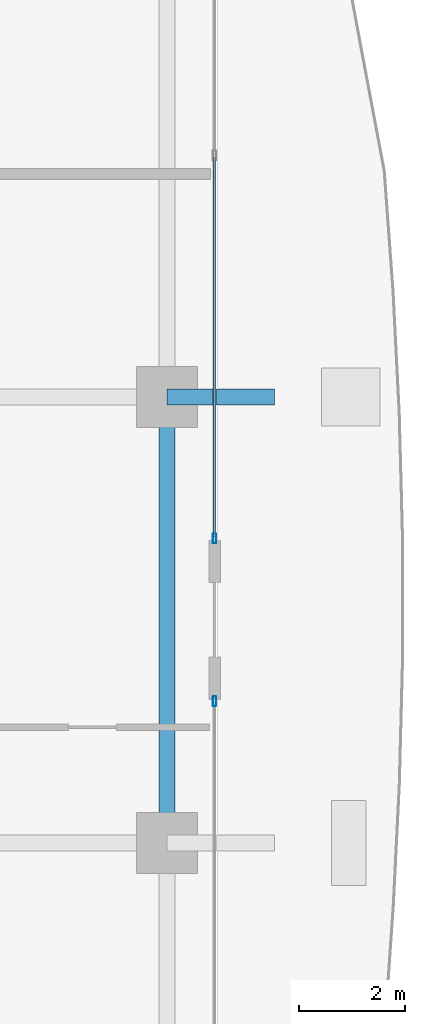
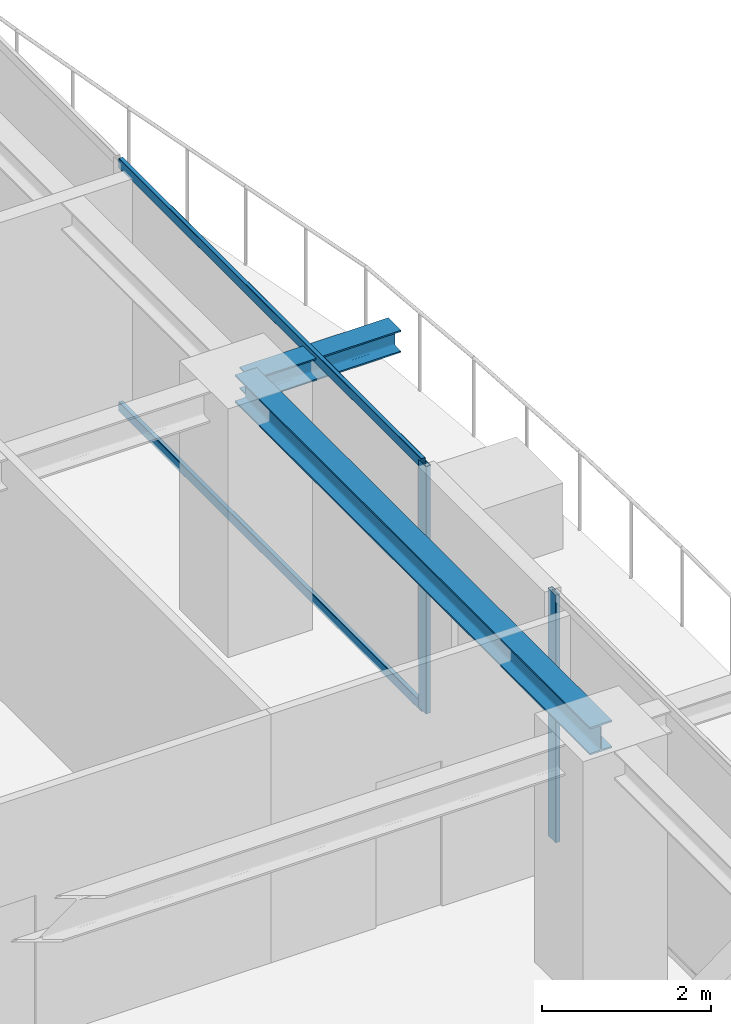
# One storey, part 15 of 37: 4 members, 2 beams, 2 elements without a shape of their own.
"""IFC4 building model written with IfcOpenShell, lengths in metres."""

from ifc_helpers import new_model, si_unit, direction, frame, origin, origin_2d, place, context, subcontext, project, spatial, hollow_rectangle, i_section, extrude, source, transform, mapped, material, layer, layer_set, material_profile, profile_set, type_object, element, aggregate, save


model = new_model("IFC4")

# Units and contexts
model_context = context("Model", 3, precision=1e-05, world=origin(), true_north=direction((0.0, 1.0)))
body_context = subcontext(model_context, "Body", "Model", "MODEL_VIEW")
ifc_project = project(units=[si_unit("LENGTHUNIT", "METRE"), si_unit("AREAUNIT", "SQUARE_METRE"), si_unit("VOLUMEUNIT", "CUBIC_METRE"), si_unit("PLANEANGLEUNIT", "RADIAN"), si_unit("MASSUNIT", "GRAM", prefix="KILO")], contexts=[model_context])

# Site, building, storey
site_placement = place(None, origin())
site = spatial("IfcSite", under=ifc_project, at=site_placement, CompositionType="ELEMENT")
building_placement = place(site_placement, origin())
building = spatial("IfcBuilding", under=site, at=building_placement, Name="Serunith Strait Residences", CompositionType="ELEMENT")
storey_placement = place(building_placement, frame((0.0, 0.0, 233.550048828125)))
storey = spatial("IfcBuildingStorey", under=building, at=storey_placement, Name="L58", CompositionType="ELEMENT", Elevation=233.550048828125)

# Beams
ifc_material_1 = material(Name="Steel S355J2", Category="steel")
ifc_material_profile_1 = material_profile(ifc_material_1, i_section(OverallWidth=0.300048828125, OverallDepth=0.39990234375, WebThickness=0.013427734375, FlangeThickness=0.02392578125, FilletRadius=0.027099609375, at=origin_2d()), Name="HEB 400")
ifc_profile_set_1 = profile_set([ifc_material_profile_1], Name="Steel S355J2")
beam_type_1 = type_object("IfcBeamType", Name="BM-HEB400", PredefinedType="BEAM", material=ifc_profile_set_1)
shared_shape_1 = source(origin(), body_context, "Body", "SweptSolid", [
    extrude(i_section(OverallWidth=0.300048828125, OverallDepth=0.39990234375, WebThickness=0.013427734375, FlangeThickness=0.02392578125, FilletRadius=0.027099609375, at=origin_2d()), origin(), (0.0, 0.0, 1.0), 8.39990234375),
])
beam_1_placement = place(storey_placement, frame((56.5, 21.0, 3.386962890625), z_axis=(0.0, 1.0, 0.0), x_axis=(-1.0, 0.0, 0.0)))
element("IfcBeam", 1, at=beam_1_placement, inside=storey, type_object=beam_type_1, Name="L58 Perimeter Ring Beam 06", PredefinedType="BEAM", context=body_context, shape_type="MappedRepresentation", body=[
    mapped(shared_shape_1, transform((0.0, 0.0, 0.0), scale=1.0)),
])
ifc_material_profile_2 = material_profile(ifc_material_1, i_section(OverallWidth=0.300048828125, OverallDepth=0.320068359375, WebThickness=0.011474609375, FlangeThickness=0.0205078125, FilletRadius=0.027099609375, at=origin_2d()), Name="HEB 320")
ifc_profile_set_2 = profile_set([ifc_material_profile_2], Name="Steel S355J2")
beam_type_2 = type_object("IfcBeamType", Name="BM-HEB320", PredefinedType="BEAM", material=ifc_profile_set_2)
shared_shape_2 = source(origin(), body_context, "Body", "SweptSolid", [
    extrude(i_section(OverallWidth=0.300048828125, OverallDepth=0.320068359375, WebThickness=0.011474609375, FlangeThickness=0.0205078125, FilletRadius=0.027099609375, at=origin_2d()), origin(), (0.0, 0.0, 1.0), 2.030029296875),
])
beam_2_placement = place(storey_placement, frame((56.5, 29.39990234375, 3.39697265625), z_axis=(1.0, 0.0, 0.0), x_axis=(0.0, 1.0, 0.0)))
element("IfcBeam", 2, at=beam_2_placement, inside=storey, type_object=beam_type_2, Name="L59 Cantilevered Balcony Rib TC-E3", PredefinedType="BEAM", context=body_context, shape_type="MappedRepresentation", body=[
    mapped(shared_shape_2, transform((0.0, 0.0, 0.0), scale=1.0)),
])

# Curtain wall, member
ifc_material_2 = material(Name="Pale-Champagne Anodised Aluminium", Category="aluminium")
ifc_layer = layer(ifc_material_2, 0.199951171875, Name="Pale-Champagne Anodised Aluminium")
ifc_layer_set = layer_set([ifc_layer], Name="Pale-Champagne Anodised Aluminium")
curtain_wall_type = type_object("IfcCurtainWallType", Name="CW-SYS4", PredefinedType="NOTDEFINED", material=ifc_layer_set)
curtain_wall_1_placement = place(storey_placement, origin())
curtain_wall_1 = element("IfcCurtainWall", 3, at=curtain_wall_1_placement, inside=storey, type_object=curtain_wall_type, Name="L58 E Unitised Fritted Curtain Wall", PredefinedType="NOTDEFINED")
ifc_material_profile_3 = material_profile(ifc_material_2, hollow_rectangle(XDim=0.06494140625, YDim=0.179931640625, WallThickness=0.00341796875, InnerFilletRadius=0.00537109375, OuterFilletRadius=0.0087890625, at=origin_2d()), Name="ALU 180x65x3.5")
ifc_profile_set_3 = profile_set([ifc_material_profile_3], Name="Pale-Champagne Anodised Aluminium")
member_type_1 = type_object("IfcMemberType", Name="CW-SYS4-MULL", PredefinedType="MULLION", material=ifc_profile_set_3)
shared_shape_3 = source(origin(), body_context, "Body", "SweptSolid", [
    extrude(hollow_rectangle(XDim=0.06494140625, YDim=0.179931640625, WallThickness=0.00341796875, InnerFilletRadius=0.00537109375, OuterFilletRadius=0.0087890625, at=origin_2d()), origin(), (0.0, 0.0, 1.0), 3.574951171875),
])
member_1_placement = place(storey_placement, frame((57.39990234375, 23.66748046875, 0.0), z_axis=(0.0, 0.0, 1.0), x_axis=(-1.0, 0.0, 0.0)))
member_1 = element("IfcMember", 4, at=member_1_placement, type_object=member_type_1, Name="CW-4 mullion 3", PredefinedType="MULLION", context=body_context, shape_type="MappedRepresentation", body=[
    mapped(shared_shape_3, transform((0.0, 0.0, 0.0), scale=1.0)),
])
aggregate(curtain_wall_1, [member_1])

# Curtain wall, members
curtain_wall_2_placement = place(storey_placement, origin())
curtain_wall_2 = element("IfcCurtainWall", 5, at=curtain_wall_2_placement, inside=storey, type_object=curtain_wall_type, Name="L58 E Unitised Fritted Curtain Wall", PredefinedType="NOTDEFINED")
member_2_placement = place(storey_placement, frame((57.39990234375, 26.732421875, 0.0), z_axis=(0.0, 0.0, 1.0), x_axis=(-1.0, 0.0, 0.0)))
member_2 = element("IfcMember", 6, at=member_2_placement, type_object=member_type_1, Name="CW-4 mullion 1", PredefinedType="MULLION", context=body_context, shape_type="MappedRepresentation", body=[
    mapped(shared_shape_3, transform((0.0, 0.0, 0.0), scale=1.0)),
])
ifc_material_profile_4 = material_profile(ifc_material_2, hollow_rectangle(XDim=0.06005859375, YDim=0.139892578125, WallThickness=0.00341796875, InnerFilletRadius=0.00537109375, OuterFilletRadius=0.0087890625, at=origin_2d()), Name="ALU 140x60x3.5")
ifc_profile_set_4 = profile_set([ifc_material_profile_4], Name="Pale-Champagne Anodised Aluminium")
member_type_2 = type_object("IfcMemberType", Name="CW-SYS4-TRAN", PredefinedType="USERDEFINED", material=ifc_profile_set_4)
shared_shape_4 = source(origin(), body_context, "Body", "SweptSolid", [
    extrude(hollow_rectangle(XDim=0.06005859375, YDim=0.139892578125, WallThickness=0.00341796875, InnerFilletRadius=0.00537109375, OuterFilletRadius=0.0087890625, at=origin_2d()), origin(), (0.0, 0.0, 1.0), 7.152587890625),
])
member_3_placement = place(storey_placement, frame((57.39990234375, 26.764892578125, 0.030029296875), z_axis=(0.0, 1.0, 0.0), x_axis=(-1.0, 0.0, 0.0)))
member_3 = element("IfcMember", 7, at=member_3_placement, type_object=member_type_2, Name="CW-4 transom 1.1", ObjectType="TRANSOM", PredefinedType="USERDEFINED", context=body_context, shape_type="MappedRepresentation", body=[
    mapped(shared_shape_4, transform((0.0, 0.0, 0.0), scale=1.0)),
])
member_4_placement = place(storey_placement, frame((57.39990234375, 26.764892578125, 3.544921875), z_axis=(0.0, 1.0, 0.0), x_axis=(-1.0, 0.0, 0.0)))
member_4 = element("IfcMember", 8, at=member_4_placement, type_object=member_type_2, Name="CW-4 transom 1.2", ObjectType="TRANSOM", PredefinedType="USERDEFINED", context=body_context, shape_type="MappedRepresentation", body=[
    mapped(shared_shape_4, transform((0.0, 0.0, 0.0), scale=1.0)),
])
aggregate(curtain_wall_2, [member_2, member_3, member_4])

save(model, "model.ifc")
